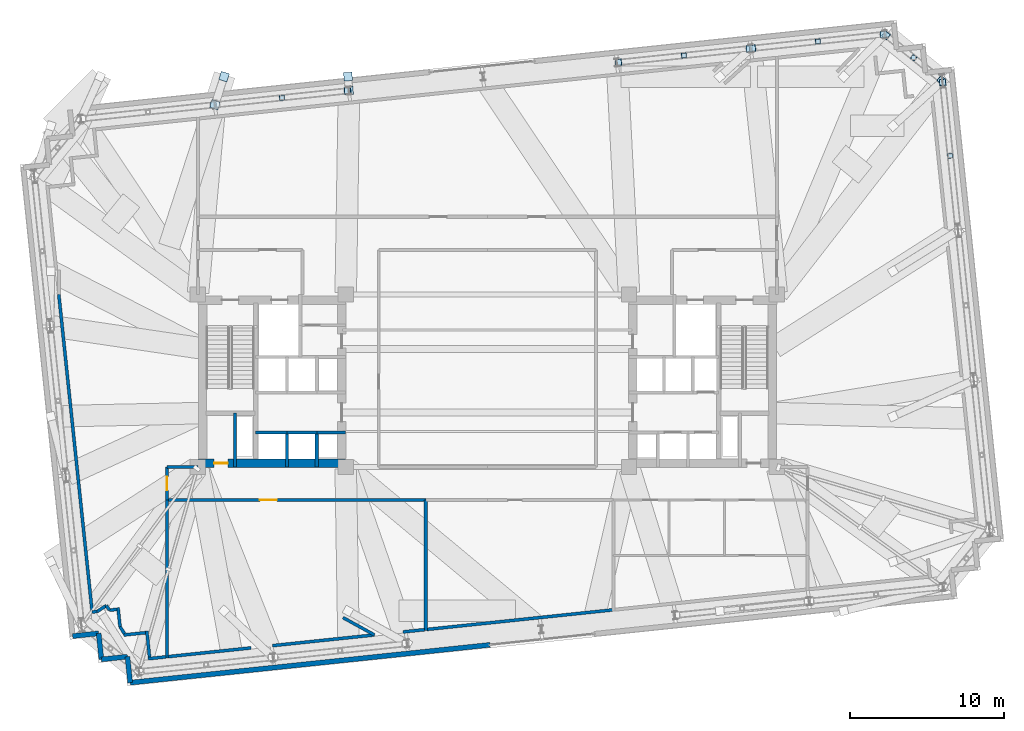
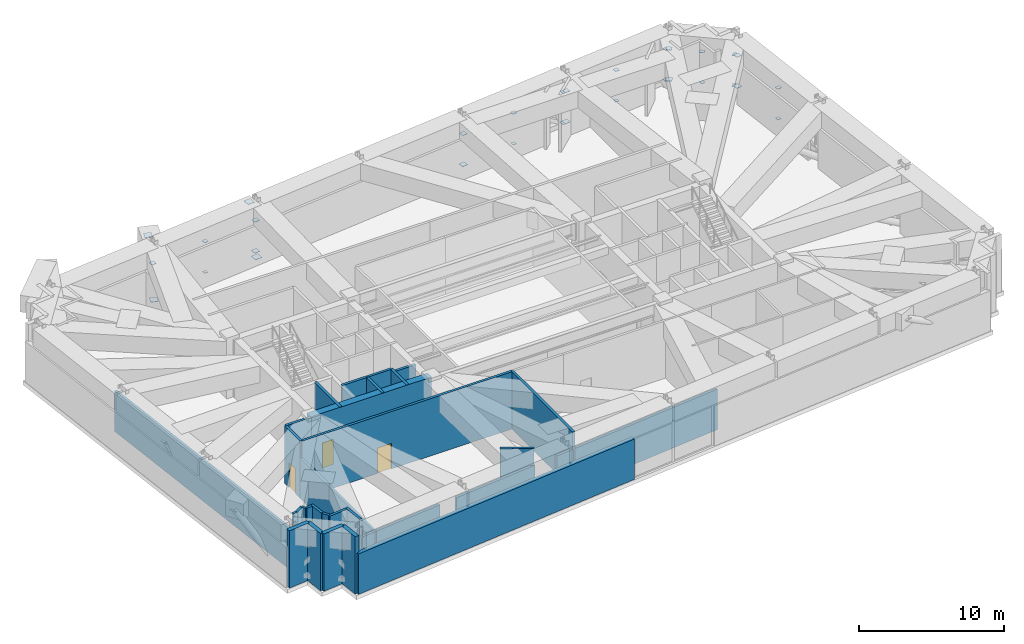
# One storey, part 18 of 23: 32 walls, 31 plates, 3 doors, 3 openings.
"""IFC4 building model written with IfcOpenShell, lengths in metres."""

from ifc_helpers import new_model, si_unit, direction, frame, frame_2d, origin, origin_2d, place, context, subcontext, project, spatial, rectangle, extrude, material, layer, layer_set, type_object, element, fill, save


model = new_model("IFC4")

# Units and contexts
model_context = context("Model", 3, precision=1e-05, world=origin(), true_north=direction((0.0, 1.0)))
body_context = subcontext(model_context, "Body", "Model", "MODEL_VIEW")
ifc_project = project(units=[si_unit("LENGTHUNIT", "METRE"), si_unit("AREAUNIT", "SQUARE_METRE"), si_unit("VOLUMEUNIT", "CUBIC_METRE"), si_unit("PLANEANGLEUNIT", "RADIAN"), si_unit("MASSUNIT", "GRAM", prefix="KILO")], contexts=[model_context])

# Site, building, storey
site_placement = place(None, origin())
site = spatial("IfcSite", under=ifc_project, at=site_placement, CompositionType="ELEMENT")
building_placement = place(site_placement, origin())
building = spatial("IfcBuilding", under=site, at=building_placement, Name="Qobustan Lattice House", CompositionType="ELEMENT")
storey_placement = place(building_placement, frame((0.0, 0.0, 125.89990234375)))
storey = spatial("IfcBuildingStorey", under=building, at=storey_placement, Name="L35", CompositionType="ELEMENT", Elevation=125.89990234375)

# Plates
ifc_material_1 = material(Name="Steel S355", Category="steel")
ifc_layer_1 = layer(ifc_material_1, 0.030029296875)
ifc_layer_set_1 = layer_set([ifc_layer_1], Name="Steel S355")
plate_type = type_object("IfcPlateType", Name="PLT-CAP-25", PredefinedType="SHEET", material=ifc_layer_set_1)
plate_1_placement = place(storey_placement, frame((29.566162109375, 19.37451171875, 0.53515625), z_axis=(0.0, 0.0, 1.0), x_axis=(-0.104528463268, 0.994521895368, 0.0)))
element("IfcPlate", 1, at=plate_1_placement, inside=storey, type_object=plate_type, Name="L35 TT2 belt truss bottom chord E3-E4 end cap plate 2", PredefinedType="SHEET", context=body_context, shape_type="SweptSolid", body=[
    extrude(rectangle(XDim=0.43994140625, YDim=0.43994140625, at=origin_2d()), origin(), (0.0, 0.0, 1.0), 0.030029296875),
])
plate_2_placement = place(storey_placement, frame((29.566162109375, 19.37451171875, 3.125), z_axis=(0.0, 0.0, 1.0), x_axis=(-0.104528463268, 0.994521895368, 0.0)))
element("IfcPlate", 2, at=plate_2_placement, inside=storey, type_object=plate_type, Name="L35 TT2 belt truss top chord E3-E4 end cap plate 2", PredefinedType="SHEET", context=body_context, shape_type="SweptSolid", body=[
    extrude(rectangle(XDim=0.389892578125, YDim=0.389892578125, at=origin_2d()), origin(), (0.0, 0.0, 1.0), 0.030029296875),
])
plate_3_placement = place(storey_placement, frame((30.066162109375, 14.61669921875, 3.12744140625), z_axis=(0.0, 0.0, 1.0), x_axis=(-0.10451110557, 0.994523719583, 0.0)))
element("IfcPlate", 3, at=plate_3_placement, inside=storey, type_object=plate_type, Name="L35 TT2 belt truss web diagonal E3-E4 A end cap plate 2", PredefinedType="SHEET", context=body_context, shape_type="SweptSolid", body=[
    extrude(rectangle(XDim=0.340087890625, YDim=0.340087890625, at=origin_2d()), origin(), (0.0, 0.0, 1.0), 0.030029296875),
])
plate_4_placement = place(storey_placement, frame((30.066650390625, 14.6123046875, 0.5302734375), z_axis=(0.0, 0.0, 1.0), x_axis=(1.0, 0.0, 0.0)))
element("IfcPlate", 4, at=plate_4_placement, inside=storey, type_object=plate_type, Name="L35 TT2 belt truss vertical post E3-E4 end cap plate 1", PredefinedType="SHEET", context=body_context, shape_type="SweptSolid", body=[
    extrude(rectangle(XDim=0.2900390625, YDim=0.2900390625, at=origin_2d()), origin(), (0.0, 0.0, 1.0), 0.030029296875),
])
for number, where, z_axis, x_axis, name in (
    (5, (29.482421875, 19.52880859375, 0.53515625), (0.0, 0.0, 1.0), (-0.777134977626, 0.62933395471, 0.0), "L35 TT2 belt truss bottom chord E4-N1 end cap plate 1"),
    (6, (25.893310546875, 22.435302734375, 0.53515625), (0.0, 0.0, 1.0), (-0.777134977626, 0.62933395471, 0.0), "L35 TT2 belt truss bottom chord E4-N1 end cap plate 2"),
):
    element("IfcPlate", number, at=place(storey_placement, frame(where, z_axis=z_axis, x_axis=x_axis)), inside=storey, type_object=plate_type, Name=name, PredefinedType="SHEET", context=body_context, shape_type="SweptSolid", body=[
        extrude(rectangle(XDim=0.43994140625, YDim=0.43994140625, at=origin_2d()), origin(), (0.0, 0.0, 1.0), 0.030029296875),
    ])
for number, where, z_axis, x_axis, name in (
    (7, (29.482421875, 19.52880859375, 3.125), (0.0, 0.0, 1.0), (-0.777134977626, 0.62933395471, 0.0), "L35 TT2 belt truss top chord E4-N1 end cap plate 1"),
    (8, (25.893310546875, 22.435302734375, 3.125), (0.0, 0.0, 1.0), (-0.777134977626, 0.62933395471, 0.0), "L35 TT2 belt truss top chord E4-N1 end cap plate 2"),
):
    element("IfcPlate", number, at=place(storey_placement, frame(where, z_axis=z_axis, x_axis=x_axis)), inside=storey, type_object=plate_type, Name=name, PredefinedType="SHEET", context=body_context, shape_type="SweptSolid", body=[
        extrude(rectangle(XDim=0.389892578125, YDim=0.389892578125, at=origin_2d()), origin(), (0.0, 0.0, 1.0), 0.030029296875),
    ])
plate_5_placement = place(storey_placement, frame((27.685302734375, 20.984130859375, 3.12890625), z_axis=(0.0, 0.0, 1.0), x_axis=(-0.777123993558, 0.629347518178, 0.0)))
element("IfcPlate", 9, at=plate_5_placement, inside=storey, type_object=plate_type, Name="L35 TT2 belt truss web diagonal E4-N1 A end cap plate 2", PredefinedType="SHEET", context=body_context, shape_type="SweptSolid", body=[
    extrude(rectangle(XDim=0.340087890625, YDim=0.340087890625, at=origin_2d()), origin(), (0.0, 0.0, 1.0), 0.030029296875),
])
plate_6_placement = place(storey_placement, frame((27.68798828125, 20.98193359375, 0.5302734375), z_axis=(0.0, 0.0, 1.0), x_axis=(1.0, 0.0, 0.0)))
element("IfcPlate", 10, at=plate_6_placement, inside=storey, type_object=plate_type, Name="L35 TT2 belt truss vertical post E4-N1 end cap plate 1", PredefinedType="SHEET", context=body_context, shape_type="SweptSolid", body=[
    extrude(rectangle(XDim=0.2900390625, YDim=0.2900390625, at=origin_2d()), origin(), (0.0, 0.0, 1.0), 0.030029296875),
])
for number, where, z_axis, x_axis, name in (
    (11, (25.72509765625, 22.485107421875, 0.53515625), (0.0, 0.0, 1.0), (-0.994523719583, -0.10451110557, 0.0), "L35 TT2 belt truss bottom chord N1-N2 end cap plate 1"),
    (12, (17.2119140625, 21.59033203125, 0.53515625), (0.0, 0.0, 1.0), (-0.994523719583, -0.10451110557, 0.0), "L35 TT2 belt truss bottom chord N1-N2 end cap plate 2"),
):
    element("IfcPlate", number, at=place(storey_placement, frame(where, z_axis=z_axis, x_axis=x_axis)), inside=storey, type_object=plate_type, Name=name, PredefinedType="SHEET", context=body_context, shape_type="SweptSolid", body=[
        extrude(rectangle(XDim=0.43994140625, YDim=0.43994140625, at=origin_2d()), origin(), (0.0, 0.0, 1.0), 0.030029296875),
    ])
for number, where, z_axis, x_axis, name in (
    (13, (25.72509765625, 22.485107421875, 3.125), (0.0, 0.0, 1.0), (-0.994523719583, -0.10451110557, 0.0), "L35 TT2 belt truss top chord N1-N2 end cap plate 1"),
    (14, (17.2119140625, 21.59033203125, 3.125), (0.0, 0.0, 1.0), (-0.994523719583, -0.10451110557, 0.0), "L35 TT2 belt truss top chord N1-N2 end cap plate 2"),
):
    element("IfcPlate", number, at=place(storey_placement, frame(where, z_axis=z_axis, x_axis=x_axis)), inside=storey, type_object=plate_type, Name=name, PredefinedType="SHEET", context=body_context, shape_type="SweptSolid", body=[
        extrude(rectangle(XDim=0.389892578125, YDim=0.389892578125, at=origin_2d()), origin(), (0.0, 0.0, 1.0), 0.030029296875),
    ])
plate_7_placement = place(storey_placement, frame((21.464111328125, 22.037353515625, 3.12744140625), z_axis=(0.0, 0.0, 1.0), x_axis=(-0.994523719583, -0.10451110557, 0.0)))
element("IfcPlate", 15, at=plate_7_placement, inside=storey, type_object=plate_type, Name="L35 TT2 belt truss web diagonal N1-N2 A end cap plate 2", PredefinedType="SHEET", context=body_context, shape_type="SweptSolid", body=[
    extrude(rectangle(XDim=0.340087890625, YDim=0.340087890625, at=origin_2d()), origin(), (0.0, 0.0, 1.0), 0.030029296875),
])
plate_8_placement = place(storey_placement, frame((21.468505859375, 22.03759765625, 0.5302734375), z_axis=(0.0, 0.0, 1.0), x_axis=(1.0, 0.0, 0.0)))
element("IfcPlate", 16, at=plate_8_placement, inside=storey, type_object=plate_type, Name="L35 TT2 belt truss vertical post N1-N2 end cap plate 1", PredefinedType="SHEET", context=body_context, shape_type="SweptSolid", body=[
    extrude(rectangle(XDim=0.2900390625, YDim=0.2900390625, at=origin_2d()), origin(), (0.0, 0.0, 1.0), 0.030029296875),
])
for number, where, z_axis, x_axis, name in (
    (17, (17.02294921875, 21.5703125, 0.53515625), (0.0, 0.0, 1.0), (-0.994521895368, -0.104528463268, 0.0), "L35 TT2 belt truss bottom chord N2-N3 end cap plate 1"),
    (18, (8.509765625, 20.67578125, 0.53515625), (0.0, 0.0, 1.0), (-0.994521895368, -0.104528463268, 0.0), "L35 TT2 belt truss bottom chord N2-N3 end cap plate 2"),
):
    element("IfcPlate", number, at=place(storey_placement, frame(where, z_axis=z_axis, x_axis=x_axis)), inside=storey, type_object=plate_type, Name=name, PredefinedType="SHEET", context=body_context, shape_type="SweptSolid", body=[
        extrude(rectangle(XDim=0.43994140625, YDim=0.43994140625, at=origin_2d()), origin(), (0.0, 0.0, 1.0), 0.030029296875),
    ])
for number, where, z_axis, x_axis, name in (
    (19, (17.02294921875, 21.5703125, 3.125), (0.0, 0.0, 1.0), (-0.994521895368, -0.104528463268, 0.0), "L35 TT2 belt truss top chord N2-N3 end cap plate 1"),
    (20, (8.509765625, 20.67578125, 3.125), (0.0, 0.0, 1.0), (-0.994521895368, -0.104528463268, 0.0), "L35 TT2 belt truss top chord N2-N3 end cap plate 2"),
):
    element("IfcPlate", number, at=place(storey_placement, frame(where, z_axis=z_axis, x_axis=x_axis)), inside=storey, type_object=plate_type, Name=name, PredefinedType="SHEET", context=body_context, shape_type="SweptSolid", body=[
        extrude(rectangle(XDim=0.389892578125, YDim=0.389892578125, at=origin_2d()), origin(), (0.0, 0.0, 1.0), 0.030029296875),
    ])
plate_9_placement = place(storey_placement, frame((12.761962890625, 21.12255859375, 3.12744140625), z_axis=(0.0, 0.0, 1.0), x_axis=(-0.994520070851, -0.104545820933, 0.0)))
element("IfcPlate", 21, at=plate_9_placement, inside=storey, type_object=plate_type, Name="L35 TT2 belt truss web diagonal N2-N3 A end cap plate 2", PredefinedType="SHEET", context=body_context, shape_type="SweptSolid", body=[
    extrude(rectangle(XDim=0.340087890625, YDim=0.340087890625, at=origin_2d()), origin(), (0.0, 0.0, 1.0), 0.030029296875),
])
plate_10_placement = place(storey_placement, frame((12.766357421875, 21.123046875, 0.5302734375), z_axis=(0.0, 0.0, 1.0), x_axis=(1.0, 0.0, 0.0)))
element("IfcPlate", 22, at=plate_10_placement, inside=storey, type_object=plate_type, Name="L35 TT2 belt truss vertical post N2-N3 end cap plate 1", PredefinedType="SHEET", context=body_context, shape_type="SweptSolid", body=[
    extrude(rectangle(XDim=0.2900390625, YDim=0.2900390625, at=origin_2d()), origin(), (0.0, 0.0, 1.0), 0.030029296875),
])
plate_11_placement = place(storey_placement, frame((-9.083251953125, 18.826416015625, 0.53515625), z_axis=(0.0, 0.0, 1.0), x_axis=(-0.994523719583, -0.10451110557, 0.0)))
element("IfcPlate", 23, at=plate_11_placement, inside=storey, type_object=plate_type, Name="L35 TT2 belt truss bottom chord N5-N6 end cap plate 1", PredefinedType="SHEET", context=body_context, shape_type="SweptSolid", body=[
    extrude(rectangle(XDim=0.43994140625, YDim=0.43994140625, at=origin_2d()), origin(), (0.0, 0.0, 1.0), 0.030029296875),
])
plate_12_placement = place(storey_placement, frame((-9.083251953125, 18.826416015625, 3.125), z_axis=(0.0, 0.0, 1.0), x_axis=(-0.994523719583, -0.10451110557, 0.0)))
element("IfcPlate", 24, at=plate_12_placement, inside=storey, type_object=plate_type, Name="L35 TT2 belt truss top chord N5-N6 end cap plate 1", PredefinedType="SHEET", context=body_context, shape_type="SweptSolid", body=[
    extrude(rectangle(XDim=0.389892578125, YDim=0.389892578125, at=origin_2d()), origin(), (0.0, 0.0, 1.0), 0.030029296875),
])
plate_13_placement = place(storey_placement, frame((-13.34423828125, 18.37890625, 3.12744140625), z_axis=(0.0, 0.0, 1.0), x_axis=(-0.994523719583, -0.10451110557, 0.0)))
element("IfcPlate", 25, at=plate_13_placement, inside=storey, type_object=plate_type, Name="L35 TT2 belt truss web diagonal N5-N6 A end cap plate 2", PredefinedType="SHEET", context=body_context, shape_type="SweptSolid", body=[
    extrude(rectangle(XDim=0.340087890625, YDim=0.340087890625, at=origin_2d()), origin(), (0.0, 0.0, 1.0), 0.030029296875),
])
plate_14_placement = place(storey_placement, frame((-13.33984375, 18.379150390625, 0.5302734375), z_axis=(0.0, 0.0, 1.0), x_axis=(1.0, 0.0, 0.0)))
element("IfcPlate", 26, at=plate_14_placement, inside=storey, type_object=plate_type, Name="L35 TT2 belt truss vertical post N5-N6 end cap plate 1", PredefinedType="SHEET", context=body_context, shape_type="SweptSolid", body=[
    extrude(rectangle(XDim=0.2900390625, YDim=0.2900390625, at=origin_2d()), origin(), (0.0, 0.0, 1.0), 0.030029296875),
])
plate_15_placement = place(storey_placement, frame((-17.785400390625, 17.911865234375, 3.125), z_axis=(0.0, 0.0, 1.0), x_axis=(-0.994521895368, -0.104528463268, 0.0)))
element("IfcPlate", 27, at=plate_15_placement, inside=storey, type_object=plate_type, Name="L35 TT2 belt truss top chord N6-N7 end cap plate 1", PredefinedType="SHEET", context=body_context, shape_type="SweptSolid", body=[
    extrude(rectangle(XDim=0.389892578125, YDim=0.389892578125, at=origin_2d()), origin(), (0.0, 0.0, 1.0), 0.030029296875),
])
for number, where, z_axis, x_axis, name in (
    (28, (-8.98876953125, 18.83544921875, -0.0048828125), (0.0, 0.0, 1.0), (-0.066848581766, 0.997763131768, 0.0), "L35 TT2 column transfer strut N5 end cap plate 1"),
    (29, (-9.050048828125, 19.751220703125, 4.10986328125), (0.0, 0.0, 1.0), (-0.066848581766, 0.997763131768, 0.0), "L35 TT2 column transfer strut N5 end cap plate 2"),
    (30, (-17.691650390625, 17.919921875, -0.00439453125), (0.0, 0.0, 1.0), (0.307555912523, 0.95153001039, 0.0), "L35 TT2 column transfer strut N6 end cap plate 1"),
    (31, (-17.099365234375, 19.751953125, 4.109375), (0.0, 0.0, 1.0), (0.307555912523, 0.95153001039, 0.0), "L35 TT2 column transfer strut N6 end cap plate 2"),
):
    element("IfcPlate", number, at=place(storey_placement, frame(where, z_axis=z_axis, x_axis=x_axis)), inside=storey, type_object=plate_type, Name=name, PredefinedType="SHEET", context=body_context, shape_type="SweptSolid", body=[
        extrude(rectangle(XDim=0.548095703125, YDim=0.548095703125, at=origin_2d()), origin(), (0.0, 0.0, 1.0), 0.030029296875),
    ])

# Wall, opening, door
ifc_material_2 = material(Name="Concrete C60/75", Category="concrete")
ifc_layer_2 = layer(ifc_material_2, 0.56005859375)
ifc_layer_set_2 = layer_set([ifc_layer_2], Name="Concrete C60/75")
wall_type_1 = type_object("IfcWallType", Name="WAL-CORE-600", PredefinedType="SHEAR", material=ifc_layer_set_2)
wall_1_placement = place(storey_placement, frame((-18.800048828125, -5.35009765625, 0.0), z_axis=(0.0, 0.0, 1.0), x_axis=(1.0, 0.0, 0.0)))
wall_1 = element("IfcWall", 32, at=wall_1_placement, inside=storey, type_object=wall_type_1, Name="L35 split-core shear wall CW-S", PredefinedType="SHEAR", context=body_context, shape_type="SweptSolid", body=[
    extrude(rectangle(XDim=9.60009765625, YDim=0.56005859375, at=frame_2d((4.800048828125, 0.0))), origin(), (0.0, 0.0, 1.0), 4.820068359375),
])
opening_1_placement = place(wall_1_placement, frame((1.050048828125, 0.0, 0.0)))
opening_1 = element("IfcOpeningElement", 33, at=opening_1_placement, cuts=wall_1, Name="Opening RD-01", PredefinedType="OPENING", context=body_context, shape_type="SweptSolid", body=[
    extrude(rectangle(XDim=0.89990234375, YDim=2.10009765625, at=frame_2d((0.449951171875, 1.050048828125))), frame((0.0, 0.2900390625, 0.0), z_axis=(0.0, -1.0, 0.0), x_axis=(1.0, 0.0, 0.0)), (0.0, 0.0, 1.0), 0.580078125),
])
ifc_material_3 = material(Name="Persian walnut timber and steel frame door", Category="steel")
door_type_1 = type_object("IfcDoorType", Name="DOR-RISER-FD-900x2100", OperationType="NOTDEFINED", PredefinedType="DOOR", material=ifc_material_3)
door_1_placement = place(opening_1_placement, origin())
door_1 = element("IfcDoor", 34, at=door_1_placement, inside=storey, type_object=door_type_1, Name="L35 core service riser access door W", OperationType="SINGLE_SWING_RIGHT", OverallHeight=2.10009765625, OverallWidth=0.89990234375, PredefinedType="DOOR", context=body_context, shape_type="SweptSolid", body=[
    extrude(rectangle(XDim=0.89990234375, YDim=2.10009765625, at=frame_2d((0.449951171875, 1.050048828125))), frame((0.0, 0.02490234375, 0.0), z_axis=(0.0, -1.0, 0.0), x_axis=(1.0, 0.0, 0.0)), (0.0, 0.0, 1.0), 0.050048828125),
])
fill(opening_1, door_1)

# Walls
ifc_material_4 = material(Name="Precast concrete C40/50", Category="concrete")
ifc_layer_3 = layer(ifc_material_4, 0.320068359375)
ifc_layer_set_3 = layer_set([ifc_layer_3], Name="Precast concrete C40/50")
wall_type_2 = type_object("IfcWallType", Name="WAL-EXT-STONE-320", PredefinedType="SOLIDWALL", material=ifc_layer_set_3)
for number, where, z_axis, x_axis, name in (
    (35, (-23.197998046875, -19.609375, 0.0), (0.0, 0.0, 1.0), (-0.104550220202, 0.994519608382, 0.0), "L35 exterior limestone-clad wall 1"),
    (36, (-23.375732421875, -17.918701171875, 0.0), (0.0, 0.0, 1.0), (-0.994519608382, -0.104550220202, 0.0), "L35 exterior limestone-clad wall 2"),
    (37, (-25.06640625, -18.096435546875, 0.0), (0.0, 0.0, 1.0), (-0.104408173862, 0.994534530939, 0.0), "L35 exterior limestone-clad wall 3"),
):
    element("IfcWall", number, at=place(storey_placement, frame(where, z_axis=z_axis, x_axis=x_axis)), inside=storey, type_object=wall_type_2, Name=name, PredefinedType="SOLIDWALL", context=body_context, shape_type="SweptSolid", body=[
        extrude(rectangle(XDim=1.699951171875, YDim=0.320068359375, at=frame_2d((0.85009765625, 0.0))), origin(), (0.0, 0.0, 1.0), 4.820068359375),
    ])
wall_2_placement = place(storey_placement, frame((-25.243896484375, -16.40576171875, 0.0), z_axis=(0.0, 0.0, 1.0), x_axis=(-0.994521177842, -0.104535289845, 0.0)))
element("IfcWall", 38, at=wall_2_placement, inside=storey, type_object=wall_type_2, Name="L35 exterior limestone-clad wall 4", PredefinedType="SOLIDWALL", context=body_context, shape_type="SweptSolid", body=[
    extrude(rectangle(XDim=1.7001953125, YDim=0.320068359375, at=frame_2d((0.85009765625, 0.0))), origin(), (0.0, 0.0, 1.0), 4.820068359375),
])
wall_3_placement = place(storey_placement, frame((0.17333984375, -17.153076171875, 0.0), z_axis=(0.0, 0.0, 1.0), x_axis=(-0.994522460554, -0.104523085749, 0.0)))
element("IfcWall", 39, at=wall_3_placement, inside=storey, type_object=wall_type_2, Name="L35 exterior stone wall 20B", PredefinedType="SOLIDWALL", context=body_context, shape_type="SweptSolid", body=[
    extrude(rectangle(XDim=23.5, YDim=0.320068359375, at=frame_2d((11.75, 0.0))), origin(), (0.0, 0.0, 1.0), 3.405029296875),
])
ifc_material_5 = material(Name="Two-hour gypsum fireboard acoustic partition", Category="gypsum")
ifc_layer_4 = layer(ifc_material_5, 0.199951171875)
ifc_layer_set_4 = layer_set([ifc_layer_4], Name="Two-hour gypsum fireboard acoustic partition")
wall_type_3 = type_object("IfcWallType", Name="WAL-PROT-200", PredefinedType="PARTITIONING", material=ifc_layer_set_4)
wall_4_placement = place(storey_placement, frame((-15.353271484375, -17.35205078125, 0.0), z_axis=(0.0, 0.0, 1.0), x_axis=(-0.994524754134, -0.104501260353, 0.0)))
element("IfcWall", 40, at=wall_4_placement, inside=storey, type_object=wall_type_3, Name="L35 perimeter belt-truss plenum enclosure wall 1", PredefinedType="PARTITIONING", context=body_context, shape_type="SweptSolid", body=[
    extrude(rectangle(XDim=5.4013671875, YDim=0.199951171875, at=frame_2d((2.70068359375, 0.0))), origin(), (0.0, 0.0, 1.0), 3.405029296875),
])
wall_5_placement = place(storey_placement, frame((-4.074951171875, -16.16650390625, 0.0), z_axis=(0.0, 0.0, 1.0), x_axis=(-0.994507358126, -0.104666683495, 0.0)))
element("IfcWall", 41, at=wall_5_placement, inside=storey, type_object=wall_type_3, Name="L35 perimeter belt-truss plenum enclosure wall 2", PredefinedType="PARTITIONING", context=body_context, shape_type="SweptSolid", body=[
    extrude(rectangle(XDim=1.404296875, YDim=0.199951171875, at=frame_2d((0.7021484375, 0.0))), origin(), (0.0, 0.0, 1.0), 3.405029296875),
])
wall_6_placement = place(storey_placement, frame((-9.3740234375, -15.382080078125, 0.0), z_axis=(0.0, 0.0, 1.0), x_axis=(0.87558531728, -0.483063507382, 0.0)))
element("IfcWall", 42, at=wall_6_placement, inside=storey, type_object=wall_type_3, Name="L35 perimeter belt-truss plenum enclosure wall 3", PredefinedType="PARTITIONING", context=body_context, shape_type="SweptSolid", body=[
    extrude(rectangle(XDim=2.33251953125, YDim=0.199951171875, at=frame_2d((1.166259765625, 0.0))), origin(), (0.0, 0.0, 1.0), 4.820068359375),
])
wall_7_placement = place(storey_placement, frame((-7.331787109375, -16.5087890625, 0.0), z_axis=(0.0, 0.0, 1.0), x_axis=(-0.994520706855, -0.104539770601, 0.0)))
element("IfcWall", 43, at=wall_7_placement, inside=storey, type_object=wall_type_3, Name="L35 perimeter belt-truss plenum enclosure wall 4", PredefinedType="PARTITIONING", context=body_context, shape_type="SweptSolid", body=[
    extrude(rectangle(XDim=6.660400390625, YDim=0.199951171875, at=frame_2d((3.330078125, 0.0))), origin(), (0.0, 0.0, 1.0), 3.405029296875),
])
wall_8_placement = place(storey_placement, frame((-20.875, -17.932373046875, 0.0), z_axis=(0.0, 0.0, 1.0), x_axis=(-0.994520426354, -0.104542439065, 0.0)))
element("IfcWall", 44, at=wall_8_placement, inside=storey, type_object=wall_type_3, Name="L35 perimeter belt-truss plenum enclosure wall 12", PredefinedType="PARTITIONING", context=body_context, shape_type="SweptSolid", body=[
    extrude(rectangle(XDim=1.16064453125, YDim=0.199951171875, at=frame_2d((0.580322265625, 0.0))), origin(), (0.0, 0.0, 1.0), 3.405029296875),
])
wall_9_placement = place(storey_placement, frame((-21.93896484375, -17.955810546875, 0.0), z_axis=(0.0, 0.0, 1.0), x_axis=(-0.104514072816, 0.99452340776, 0.0)))
element("IfcWall", 45, at=wall_9_placement, inside=storey, type_object=wall_type_3, Name="L35 perimeter belt-truss plenum enclosure wall 13", PredefinedType="PARTITIONING", context=body_context, shape_type="SweptSolid", body=[
    extrude(rectangle(XDim=1.712158203125, YDim=0.199951171875, at=frame_2d((0.85595703125, 0.0))), origin(), (0.0, 0.0, 1.0), 4.820068359375),
])
wall_10_placement = place(storey_placement, frame((-22.195068359375, -16.36181640625, 0.0), z_axis=(0.0, 0.0, 1.0), x_axis=(-0.994521326305, -0.104533877405, 0.0)))
element("IfcWall", 46, at=wall_10_placement, inside=storey, type_object=wall_type_3, Name="L35 perimeter belt-truss plenum enclosure wall 14", PredefinedType="PARTITIONING", context=body_context, shape_type="SweptSolid", body=[
    extrude(rectangle(XDim=1.431640625, YDim=0.199951171875, at=frame_2d((0.7158203125, 0.0))), origin(), (0.0, 0.0, 1.0), 4.820068359375),
])
wall_11_placement = place(storey_placement, frame((-23.56689453125, -16.427001953125, 0.0), z_axis=(0.0, 0.0, 1.0), x_axis=(-0.539790283476, 0.841799530687, 0.0)))
element("IfcWall", 47, at=wall_11_placement, inside=storey, type_object=wall_type_3, Name="L35 perimeter belt-truss plenum enclosure wall 15", PredefinedType="PARTITIONING", context=body_context, shape_type="SweptSolid", body=[
    extrude(rectangle(XDim=0.535888671875, YDim=0.199951171875, at=frame_2d((0.26806640625, 0.0))), origin(), (0.0, 0.0, 1.0), 4.820068359375),
])
wall_12_placement = place(storey_placement, frame((-23.856201171875, -15.975830078125, 0.0), z_axis=(0.0, 0.0, 1.0), x_axis=(-0.104715465193, 0.994502222898, 0.0)))
element("IfcWall", 48, at=wall_12_placement, inside=storey, type_object=wall_type_3, Name="L35 perimeter belt-truss plenum enclosure wall 16", PredefinedType="PARTITIONING", context=body_context, shape_type="SweptSolid", body=[
    extrude(rectangle(XDim=1.24267578125, YDim=0.199951171875, at=frame_2d((0.621337890625, 0.0))), origin(), (0.0, 0.0, 1.0), 4.820068359375),
])
wall_13_placement = place(storey_placement, frame((-24.063232421875, -14.8486328125, 0.0), z_axis=(0.0, 0.0, 1.0), x_axis=(-0.994480668483, -0.104919969567, 0.0)))
element("IfcWall", 49, at=wall_13_placement, inside=storey, type_object=wall_type_3, Name="L35 perimeter belt-truss plenum enclosure wall 17", PredefinedType="PARTITIONING", context=body_context, shape_type="SweptSolid", body=[
    extrude(rectangle(XDim=0.486328125, YDim=0.199951171875, at=frame_2d((0.2431640625, 0.0))), origin(), (0.0, 0.0, 1.0), 4.820068359375),
])
wall_14_placement = place(storey_placement, frame((-24.546875, -14.899658203125, 0.0), z_axis=(0.0, 0.0, 1.0), x_axis=(-0.539517548152, 0.84197435545, 0.0)))
element("IfcWall", 50, at=wall_14_placement, inside=storey, type_object=wall_type_3, Name="L35 perimeter belt-truss plenum enclosure wall 18", PredefinedType="PARTITIONING", context=body_context, shape_type="SweptSolid", body=[
    extrude(rectangle(XDim=0.3583984375, YDim=0.199951171875, at=frame_2d((0.17919921875, 0.0))), origin(), (0.0, 0.0, 1.0), 4.820068359375),
])
wall_15_placement = place(storey_placement, frame((-24.740234375, -14.597900390625, 0.0), z_axis=(0.0, 0.0, 1.0), x_axis=(-0.841667654919, -0.539995887635, 0.0)))
element("IfcWall", 51, at=wall_15_placement, inside=storey, type_object=wall_type_3, Name="L35 perimeter belt-truss plenum enclosure wall 19", PredefinedType="PARTITIONING", context=body_context, shape_type="SweptSolid", body=[
    extrude(rectangle(XDim=0.712890625, YDim=0.199951171875, at=frame_2d((0.3564453125, 0.0))), origin(), (0.0, 0.0, 1.0), 4.820068359375),
])
wall_16_placement = place(storey_placement, frame((-25.34033203125, -14.98291015625, 0.0), z_axis=(0.0, 0.0, 1.0), x_axis=(-0.994554292822, -0.104219761224, 0.0)))
element("IfcWall", 52, at=wall_16_placement, inside=storey, type_object=wall_type_3, Name="L35 perimeter belt-truss plenum enclosure wall 20", PredefinedType="PARTITIONING", context=body_context, shape_type="SweptSolid", body=[
    extrude(rectangle(XDim=0.327880859375, YDim=0.199951171875, at=frame_2d((0.1640625, 0.0))), origin(), (0.0, 0.0, 1.0), 4.820068359375),
])
wall_17_placement = place(storey_placement, frame((-25.66650390625, -15.01708984375, 0.0), z_axis=(0.0, 0.0, 1.0), x_axis=(-0.104528584919, 0.994521882582, 0.0)))
element("IfcWall", 53, at=wall_17_placement, inside=storey, type_object=wall_type_3, Name="L35 perimeter belt-truss plenum enclosure wall 21", PredefinedType="PARTITIONING", context=body_context, shape_type="SweptSolid", body=[
    extrude(rectangle(XDim=20.74755859375, YDim=0.199951171875, at=frame_2d((10.373779296875, 0.0))), origin(), (0.0, 0.0, 1.0), 3.405029296875),
])
wall_18_placement = place(storey_placement, frame((8.125, -14.88427734375, 0.0), z_axis=(0.0, 0.0, 1.0), x_axis=(-0.994521119771, -0.10453584232, 0.0)))
element("IfcWall", 54, at=wall_18_placement, inside=storey, type_object=wall_type_3, Name="L35 perimeter belt-truss plenum enclosure wall 22", PredefinedType="PARTITIONING", context=body_context, shape_type="SweptSolid", body=[
    extrude(rectangle(XDim=12.116455078125, YDim=0.199951171875, at=frame_2d((6.05810546875, 0.0))), origin(), (0.0, 0.0, 1.0), 3.405029296875),
])

# Wall, opening, door
wall_19_placement = place(storey_placement, frame((-20.800048828125, -7.75, 0.0), z_axis=(0.0, 0.0, 1.0), x_axis=(0.0, 1.0, 0.0)))
wall_19 = element("IfcWall", 55, at=wall_19_placement, inside=storey, type_object=wall_type_3, Name="L35 interior partition 43", PredefinedType="PARTITIONING", context=body_context, shape_type="SweptSolid", body=[
    extrude(rectangle(XDim=2.14990234375, YDim=0.199951171875, at=frame_2d((1.074951171875, 0.0))), origin(), (0.0, 0.0, 1.0), 4.820068359375),
])
opening_2_placement = place(wall_19_placement, frame((0.625, 0.0, 0.0)))
opening_2 = element("IfcOpeningElement", 56, at=opening_2_placement, cuts=wall_19, Name="Opening RD-01", PredefinedType="OPENING", context=body_context, shape_type="SweptSolid", body=[
    extrude(rectangle(XDim=0.89990234375, YDim=2.10009765625, at=frame_2d((0.449951171875, 1.050048828125))), frame((0.0, 0.10986328125, 0.0), z_axis=(0.0, -1.0, 0.0), x_axis=(1.0, 0.0, 0.0)), (0.0, 0.0, 1.0), 0.219970703125),
])
door_2_placement = place(opening_2_placement, origin())
door_2 = element("IfcDoor", 57, at=door_2_placement, inside=storey, type_object=door_type_1, Name="L35 South-west mechanical plant corridor to West protected refuge area door", OperationType="SINGLE_SWING_LEFT", OverallHeight=2.10009765625, OverallWidth=0.89990234375, PredefinedType="DOOR", context=body_context, shape_type="SweptSolid", body=[
    extrude(rectangle(XDim=0.89990234375, YDim=2.10009765625, at=frame_2d((0.449951171875, 1.050048828125))), frame((0.0, 0.02490234375, 0.0), z_axis=(0.0, -1.0, 0.0), x_axis=(1.0, 0.0, 0.0)), (0.0, 0.0, 1.0), 0.050048828125),
])
fill(opening_2, door_2)

# Wall
wall_20_placement = place(storey_placement, frame((-20.800048828125, -5.60009765625, 0.0), z_axis=(0.0, 0.0, 1.0), x_axis=(1.0, 0.0, 0.0)))
element("IfcWall", 58, at=wall_20_placement, inside=storey, type_object=wall_type_3, Name="L35 interior partition 44", PredefinedType="PARTITIONING", context=body_context, shape_type="SweptSolid", body=[
    extrude(rectangle(XDim=2.0, YDim=0.199951171875, at=frame_2d((1.0, 0.0))), origin(), (0.0, 0.0, 1.0), 4.820068359375),
])

# Wall, opening, door
wall_21_placement = place(storey_placement, frame((-4.0, -7.75, 0.0), z_axis=(0.0, 0.0, 1.0), x_axis=(-1.0, 0.0, 0.0)))
wall_21 = element("IfcWall", 59, at=wall_21_placement, inside=storey, type_object=wall_type_3, Name="L35 interior partition 45", PredefinedType="PARTITIONING", context=body_context, shape_type="SweptSolid", body=[
    extrude(rectangle(XDim=16.800048828125, YDim=0.199951171875, at=frame_2d((8.39990234375, 0.0))), origin(), (0.0, 0.0, 1.0), 4.820068359375),
])
opening_3_placement = place(wall_21_placement, frame((9.66748046875, 0.0, 0.0)))
opening_3 = element("IfcOpeningElement", 60, at=opening_3_placement, cuts=wall_21, Name="Opening SD-01", PredefinedType="OPENING", context=body_context, shape_type="SweptSolid", body=[
    extrude(rectangle(XDim=1.10009765625, YDim=2.14990234375, at=frame_2d((0.550048828125, 1.074951171875))), frame((0.0, 0.10986328125, 0.0), z_axis=(0.0, -1.0, 0.0), x_axis=(1.0, 0.0, 0.0)), (0.0, 0.0, 1.0), 0.219970703125),
])
ifc_material_6 = material(Name="Persian walnut timber and steel frame door", Category="steel")
door_type_2 = type_object("IfcDoorType", Name="DOR-STAIR-FD-1100x2150", OperationType="NOTDEFINED", PredefinedType="DOOR", material=ifc_material_6)
door_3_placement = place(opening_3_placement, origin())
door_3 = element("IfcDoor", 61, at=door_3_placement, inside=storey, type_object=door_type_2, Name="L35 South-west mechanical plant corridor to South protected refuge area door", OperationType="SINGLE_SWING_RIGHT", OverallHeight=2.14990234375, OverallWidth=1.10009765625, PredefinedType="DOOR", context=body_context, shape_type="SweptSolid", body=[
    extrude(rectangle(XDim=1.10009765625, YDim=2.14990234375, at=frame_2d((0.550048828125, 1.074951171875))), frame((0.0, 0.02490234375, 0.0), z_axis=(0.0, -1.0, 0.0), x_axis=(1.0, 0.0, 0.0)), (0.0, 0.0, 1.0), 0.050048828125),
])
fill(opening_3, door_3)

# Walls
wall_22_placement = place(storey_placement, frame((-20.800048828125, -7.75, 0.0), z_axis=(0.0, 0.0, 1.0), x_axis=(0.0, -1.0, 0.0)))
element("IfcWall", 62, at=wall_22_placement, inside=storey, type_object=wall_type_3, Name="L35 interior partition 58", PredefinedType="PARTITIONING", context=body_context, shape_type="SweptSolid", body=[
    extrude(rectangle(XDim=10.25, YDim=0.199951171875, at=frame_2d((5.125, 0.0))), origin(), (0.0, 0.0, 1.0), 3.405029296875),
])
wall_23_placement = place(storey_placement, frame((-4.0, -7.75, 0.0), z_axis=(0.0, 0.0, 1.0), x_axis=(0.0, -1.0, 0.0)))
element("IfcWall", 63, at=wall_23_placement, inside=storey, type_object=wall_type_3, Name="L35 interior partition 62", PredefinedType="PARTITIONING", context=body_context, shape_type="SweptSolid", body=[
    extrude(rectangle(XDim=8.484130859375, YDim=0.199951171875, at=frame_2d((4.2421875, 0.0))), origin(), (0.0, 0.0, 1.0), 4.820068359375),
])
ifc_material_7 = material(Name="Concrete C40/50", Category="concrete")
ifc_layer_5 = layer(ifc_material_7, 0.199951171875)
ifc_layer_set_5 = layer_set([ifc_layer_5], Name="Concrete C40/50")
wall_type_4 = type_object("IfcWallType", Name="WAL-SHAFT-200", PredefinedType="PARTITIONING", material=ifc_layer_set_5)
wall_24_placement = place(storey_placement, frame((-16.39990234375, -5.60009765625, 0.0), z_axis=(0.0, 0.0, 1.0), x_axis=(0.0, 1.0, 0.0)))
element("IfcWall", 64, at=wall_24_placement, inside=storey, type_object=wall_type_4, Name="L35 interior partition 1", PredefinedType="PARTITIONING", context=body_context, shape_type="SweptSolid", body=[
    extrude(rectangle(XDim=3.489990234375, YDim=0.199951171875, at=frame_2d((1.7451171875, 0.0))), origin(), (0.0, 0.0, 1.0), 4.820068359375),
])
wall_25_placement = place(storey_placement, frame((-15.050048828125, -3.35009765625, 0.0), z_axis=(0.0, 0.0, 1.0), x_axis=(1.0, 0.0, 0.0)))
element("IfcWall", 65, at=wall_25_placement, inside=storey, type_object=wall_type_4, Name="L35 interior partition 9", PredefinedType="PARTITIONING", context=body_context, shape_type="SweptSolid", body=[
    extrude(rectangle(XDim=2.030029296875, YDim=0.199951171875, at=frame_2d((1.01513671875, 0.0))), origin(), (0.0, 0.0, 1.0), 4.820068359375),
])
wall_26_placement = place(storey_placement, frame((-13.02001953125, -3.35009765625, 0.0), z_axis=(0.0, 0.0, 1.0), x_axis=(1.0, 0.0, 0.0)))
element("IfcWall", 66, at=wall_26_placement, inside=storey, type_object=wall_type_4, Name="L35 interior partition 10", PredefinedType="PARTITIONING", context=body_context, shape_type="SweptSolid", body=[
    extrude(rectangle(XDim=1.93994140625, YDim=0.199951171875, at=frame_2d((0.969970703125, 0.0))), origin(), (0.0, 0.0, 1.0), 4.820068359375),
])
wall_27_placement = place(storey_placement, frame((-11.080078125, -3.35009765625, 0.0), z_axis=(0.0, 0.0, 1.0), x_axis=(1.0, 0.0, 0.0)))
element("IfcWall", 67, at=wall_27_placement, inside=storey, type_object=wall_type_4, Name="L35 interior partition 11", PredefinedType="PARTITIONING", context=body_context, shape_type="SweptSolid", body=[
    extrude(rectangle(XDim=1.880126953125, YDim=0.199951171875, at=frame_2d((0.93994140625, 0.0))), origin(), (0.0, 0.0, 1.0), 4.53515625),
])
for number, where, z_axis, x_axis, name in (
    (68, (-13.02001953125, -5.60009765625, 0.0), (0.0, 0.0, 1.0), (0.0, 1.0, 0.0), "L35 interior partition 16"),
    (69, (-11.080078125, -5.60009765625, 0.0), (0.0, 0.0, 1.0), (0.0, 1.0, 0.0), "L35 interior partition 17"),
):
    element("IfcWall", number, at=place(storey_placement, frame(where, z_axis=z_axis, x_axis=x_axis)), inside=storey, type_object=wall_type_4, Name=name, PredefinedType="PARTITIONING", context=body_context, shape_type="SweptSolid", body=[
        extrude(rectangle(XDim=2.25, YDim=0.199951171875, at=frame_2d((1.125, 0.0))), origin(), (0.0, 0.0, 1.0), 4.820068359375),
    ])

save(model, "model.ifc")
